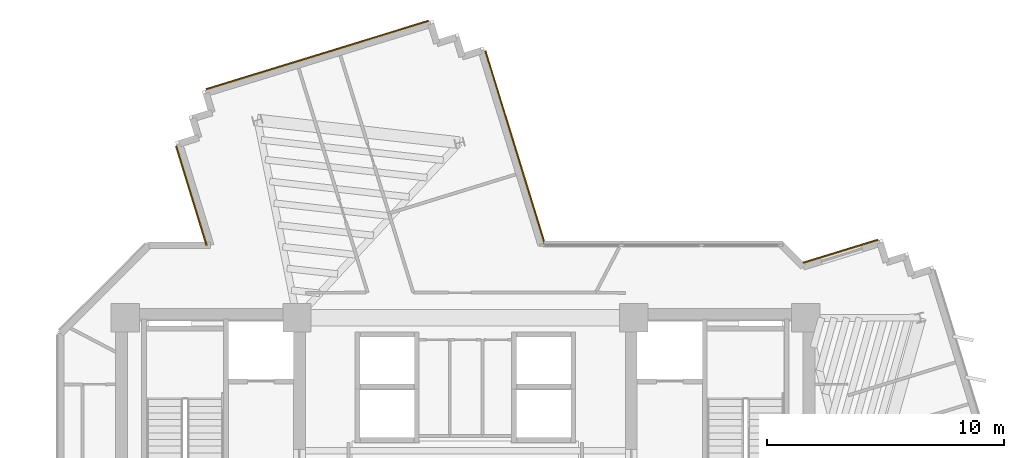
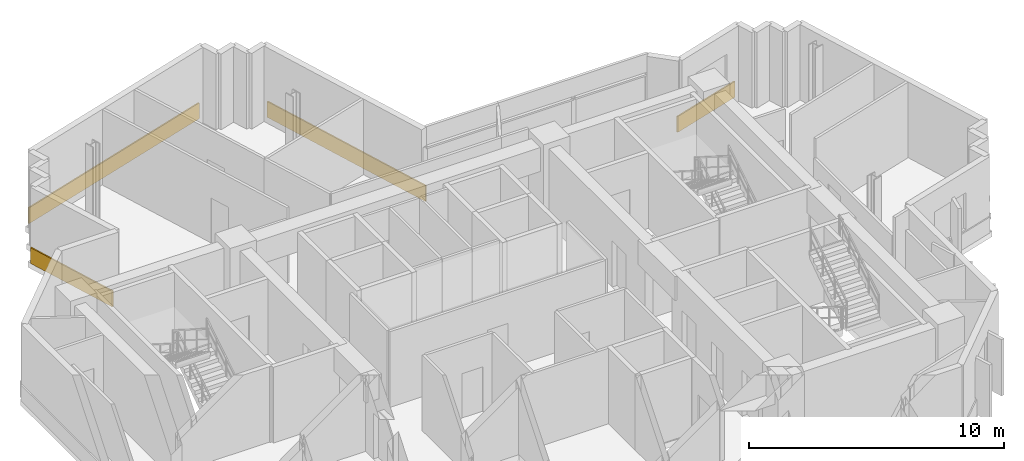
# One storey, part 13 of 13: 4 coverings.
"""IFC4 building model written with IfcOpenShell, lengths in metres."""

import ifcopenshell
import ifcopenshell.guid

model = None  # the IFC model being written
_history = None  # IfcOwnerHistory: only IFC2X3 demands one
_inside = {}  # id of a spatial element -> (the spatial element, [elements in it])
_under = {}  # id of a project, library or spatial element -> (it, [spatial elements below it])
_declared = {}  # id of a project -> (the project, [libraries it declares])
_typed = {}  # id of a type object -> (the type object, [elements of that type])
_made_of = {}  # id of a material, layer set ... -> (it, [elements and type objects made of it])


def new_model(schema):
    """Start an empty IFC model of exactly this schema.

    Asked for "IFC4X3", IfcOpenShell would pick the latest addendum, in which some entities
    have other attributes; the version numbers below select the first issue.
    IFC2X3 requires an IfcOwnerHistory on every rooted entity: one is made here for all.
    """
    global model, _history
    if schema == "IFC4X3":
        model = ifcopenshell.file(schema_version=(4, 3, 0, 0))
    else:
        model = ifcopenshell.file(schema=schema)
    _inside.clear()
    _under.clear()
    _declared.clear()
    _typed.clear()
    _made_of.clear()
    _history = None
    if model.schema == "IFC2X3":
        org = make("IfcOrganization", Name="unknown")
        user = make(
            "IfcPersonAndOrganization",
            ThePerson=make("IfcPerson", FamilyName="unknown"),
            TheOrganization=org,
        )
        app = make(
            "IfcApplication",
            ApplicationDeveloper=org,
            Version="unknown",
            ApplicationFullName="unknown",
            ApplicationIdentifier="unknown",
        )
        _history = make(
            "IfcOwnerHistory",
            OwningUser=user,
            OwningApplication=app,
            ChangeAction="ADDED",
            CreationDate=0,
        )
    return model


def make(cls, **values):
    """One entity of the class cls with the attributes given. An attribute that is None is left unset."""
    return model.create_entity(
        cls, **{name: value for name, value in values.items() if value is not None}
    )


def rooted(cls, **values):
    """An entity with a GlobalId (a new one), such as an element, a storey or a relation."""
    return make(cls, GlobalId=ifcopenshell.guid.new(), OwnerHistory=_history, **values)


def si_unit(unit_type, name, prefix=None):
    """IfcSIUnit, for example si_unit("LENGTHUNIT", "METRE", prefix="MILLI")."""
    return make("IfcSIUnit", UnitType=unit_type, Prefix=prefix, Name=name)


def assignment(units):
    """IfcUnitAssignment: the units of a project."""
    return None if units is None else make("IfcUnitAssignment", Units=units)


def point(xyz):
    """IfcCartesianPoint."""
    return None if xyz is None else make("IfcCartesianPoint", Coordinates=xyz)


def direction(xyz):
    """IfcDirection."""
    return None if xyz is None else make("IfcDirection", DirectionRatios=xyz)


def frame(location, z_axis=None, x_axis=None):
    """IfcAxis2Placement3D, a coordinate frame: its origin and axes. An axis left out is left unset."""
    return make(
        "IfcAxis2Placement3D",
        Location=point(location),
        Axis=direction(z_axis),
        RefDirection=direction(x_axis),
    )


def frame_2d(location, x_axis=None):
    """IfcAxis2Placement2D, a coordinate frame in the plane: its origin and x axis."""
    return make(
        "IfcAxis2Placement2D", Location=point(location), RefDirection=direction(x_axis)
    )


def origin():
    """The frame at (0, 0, 0) with its axes left unset."""
    return frame((0.0, 0.0, 0.0))


def origin_2d():
    """The frame at (0, 0) in the plane with its x axis left unset."""
    return frame_2d((0.0, 0.0))


def place(relative_to, where):
    """IfcLocalPlacement: puts the frame where relative to a parent placement (None: the world)."""
    return make(
        "IfcLocalPlacement", PlacementRelTo=relative_to, RelativePlacement=where
    )


def context(
    kind, dimensions, precision=None, world=None, true_north=None, identifier=None
):
    """IfcGeometricRepresentationContext, for example the 3D "Model" context."""
    return make(
        "IfcGeometricRepresentationContext",
        ContextIdentifier=identifier,
        ContextType=kind,
        CoordinateSpaceDimension=dimensions,
        Precision=precision,
        WorldCoordinateSystem=world,
        TrueNorth=true_north,
    )


def subcontext(parent, identifier, kind, view, scale=None):
    """IfcGeometricRepresentationSubContext, for example "Body" below "Model"."""
    return make(
        "IfcGeometricRepresentationSubContext",
        ContextIdentifier=identifier,
        ContextType=kind,
        ParentContext=parent,
        TargetScale=scale,
        TargetView=view,
    )


def project(units=None, contexts=None):
    """IfcProject with its units and contexts."""
    return rooted(
        "IfcProject",
        Name="project",
        RepresentationContexts=contexts,
        UnitsInContext=assignment(units),
    )


def spatial(cls, under=None, at=None, **own):
    """A site, building, storey or space (cls), placed at a placement, below another one or the project."""
    s = rooted(cls, ObjectPlacement=at, **own)
    if under is not None:
        _under.setdefault(under.id(), (under, []))[1].append(s)
    return s


def profile(cls, at=None, kind="AREA", **sizes):
    """A parametric profile (cls). Its sizes go by their IFC names, for example OverallWidth=200.0."""
    return make(cls, ProfileType=kind, Position=at, **sizes)


def rectangle(**sizes):
    """IfcRectangleProfileDef."""
    return profile("IfcRectangleProfileDef", **sizes)


def extrude(swept, where, along, depth):
    """IfcExtrudedAreaSolid: the profile swept, set in the frame where, extruded along a direction by depth."""
    return make(
        "IfcExtrudedAreaSolid",
        SweptArea=swept,
        Position=where,
        ExtrudedDirection=direction(along),
        Depth=depth,
    )


def shape(context_of_items, identifier, shape_type, items):
    """IfcShapeRepresentation: the items that make up one representation, for example the "Body"."""
    return make(
        "IfcShapeRepresentation",
        ContextOfItems=context_of_items,
        RepresentationIdentifier=identifier,
        RepresentationType=shape_type,
        Items=items,
    )


def source(mapping_origin, context_of_items, identifier, shape_type, items):
    """IfcRepresentationMap: a shape defined once, which mapped items show again and again."""
    return make(
        "IfcRepresentationMap",
        MappingOrigin=mapping_origin,
        MappedRepresentation=shape(context_of_items, identifier, shape_type, items),
    )


def transform(
    local_origin,
    x_axis=None,
    y_axis=None,
    z_axis=None,
    scale=None,
    scale2=None,
    scale3=None,
    uniform=True,
):
    """IfcCartesianTransformationOperator3D, or its non-uniform kind. x_axis, y_axis, z_axis: its Axis1, 2, 3."""
    if uniform:
        return make(
            "IfcCartesianTransformationOperator3D",
            Axis1=direction(x_axis),
            Axis2=direction(y_axis),
            LocalOrigin=point(local_origin),
            Scale=scale,
            Axis3=direction(z_axis),
        )
    return make(
        "IfcCartesianTransformationOperator3DnonUniform",
        Axis1=direction(x_axis),
        Axis2=direction(y_axis),
        LocalOrigin=point(local_origin),
        Scale=scale,
        Axis3=direction(z_axis),
        Scale2=scale2,
        Scale3=scale3,
    )


def mapped(mapping_source, mapping_target):
    """IfcMappedItem: shows the shape of a source again, moved by a transform."""
    return make(
        "IfcMappedItem", MappingSource=mapping_source, MappingTarget=mapping_target
    )


def material(Name=None, Category=None):
    """IfcMaterial."""
    return make("IfcMaterial", Name=Name, Category=Category)


def layer(
    of_material, thickness, ventilated=None, Name=None, Category=None, Priority=None
):
    """IfcMaterialLayer: one layer of a wall or slab, of a material (None: an air gap)."""
    return make(
        "IfcMaterialLayer",
        Material=of_material,
        LayerThickness=thickness,
        IsVentilated=ventilated,
        Name=Name,
        Category=Category,
        Priority=Priority,
    )


def layer_set(layers, Name=None):
    """IfcMaterialLayerSet."""
    return make("IfcMaterialLayerSet", MaterialLayers=layers, LayerSetName=Name)


def made_of(thing, what):
    """Note that an element or type object is made of a material, layer set ...; save() writes the relation."""
    if what is not None:
        _made_of.setdefault(what.id(), (what, []))[1].append(thing)
    return thing


def type_object(cls, material=None, **own):
    """A type object (cls), such as IfcWallType, which elements share."""
    return made_of(rooted(cls, **own), material)


def element(
    cls,
    number,
    at=None,
    inside=None,
    cuts=None,
    type_object=None,
    material=None,
    context=None,
    identifier="Body",
    shape_type=None,
    held_by="IfcProductDefinitionShape",
    body=None,
    shapes=None,
    **own,
):
    """One element of the class cls, such as IfcWall. Its Tag is "e" and its number.

    at: its placement. inside: the storey or other place that contains it. cuts: it is an
    opening in that element (IfcRelVoidsElement). A single representation is given by context,
    identifier, shape_type and body (its items); several are given by shapes. held_by: the class
    of the entity that holds the representations. save() writes the other relations.
    """
    e = rooted(cls, Tag="e%d" % number, ObjectPlacement=at, **own)
    if body is not None:
        shapes = [shape(context, identifier, shape_type, body)]
    if shapes is not None:
        e.Representation = make(held_by, Representations=shapes)
    if inside is not None:
        _inside.setdefault(inside.id(), (inside, []))[1].append(e)
    if cuts is not None:
        rooted(
            "IfcRelVoidsElement", RelatingBuildingElement=cuts, RelatedOpeningElement=e
        )
    if type_object is not None:
        _typed.setdefault(type_object.id(), (type_object, []))[1].append(e)
    return made_of(e, material)


def aggregate(whole, parts):
    """IfcRelAggregates: a whole, such as a stair, and the parts it consists of."""
    return rooted("IfcRelAggregates", RelatingObject=whole, RelatedObjects=parts)


def save(model, path):
    """Write the relations noted so far, then the file.

    IfcRelAggregates (storeys below a building ...), IfcRelContainedInSpatialStructure (elements
    in a storey), IfcRelDefinesByType, IfcRelAssociatesMaterial and IfcRelDeclares: one each for
    every whole, place, type object, material and project.
    """
    for whole, parts in _under.values():
        aggregate(whole, parts)
    for where, things in _inside.values():
        rooted(
            "IfcRelContainedInSpatialStructure",
            RelatedElements=things,
            RelatingStructure=where,
        )
    for kind, things in _typed.values():
        rooted("IfcRelDefinesByType", RelatedObjects=things, RelatingType=kind)
    for what, things in _made_of.values():
        rooted("IfcRelAssociatesMaterial", RelatedObjects=things, RelatingMaterial=what)
    for by, libraries in _declared.values():
        rooted("IfcRelDeclares", RelatingContext=by, RelatedDefinitions=libraries)
    model.write(path)


model = new_model("IFC4")

# Units and contexts
model_context = context("Model", 3, precision=1e-05, world=origin(), true_north=direction((0.0, 1.0)))
body_context = subcontext(model_context, "Body", "Model", "MODEL_VIEW")
ifc_project = project(units=[si_unit("LENGTHUNIT", "METRE"), si_unit("AREAUNIT", "SQUARE_METRE"), si_unit("VOLUMEUNIT", "CUBIC_METRE"), si_unit("PLANEANGLEUNIT", "RADIAN"), si_unit("MASSUNIT", "GRAM", prefix="KILO")], contexts=[model_context])

# Site, building, storey
site_placement = place(None, origin())
site = spatial("IfcSite", under=ifc_project, at=site_placement, CompositionType="ELEMENT")
building_placement = place(site_placement, origin())
building = spatial("IfcBuilding", under=site, at=building_placement, Name="Zahravan Cultural Tower", CompositionType="ELEMENT")
storey_placement = place(building_placement, frame((0.0, 0.0, 217.5)))
storey = spatial("IfcBuildingStorey", under=building, at=storey_placement, Name="L51", CompositionType="ELEMENT", Elevation=217.5)

# Coverings
ifc_material = material(Name="Terracotta ceramic cladding", Category="masonry")
ifc_layer = layer(ifc_material, 0.06005859375)
ifc_layer_set = layer_set([ifc_layer], Name="Terracotta ceramic cladding")
covering_type = type_object("IfcCoveringType", Name="COV-CLAD-TC60", PredefinedType="CLADDING", material=ifc_layer_set)
shared_shape_1 = source(origin(), body_context, "Body", "SweptSolid", [
    extrude(rectangle(XDim=9.820068359375, YDim=0.06005859375, at=origin_2d()), origin(), (0.0, 0.0, 1.0), 0.760009765625),
])
covering_1_placement = place(storey_placement, frame((29.759033203125, 47.28662109375, 0.02001953125), z_axis=(0.0, 0.0, 1.0), x_axis=(0.955793014798, 0.294040325232, 0.0)))
element("IfcCovering", 1, at=covering_1_placement, inside=storey, type_object=covering_type, Name="L51 Terracotta Spandrel Cladding 46", PredefinedType="CLADDING", context=body_context, shape_type="MappedRepresentation", body=[
    mapped(shared_shape_1, transform((0.0, 0.0, 0.0), x_axis=(1.0, 0.0, 0.0), y_axis=(0.0, 1.0, 0.0), z_axis=(0.0, 0.0, 1.0), scale=1.0)),
])
shared_shape_2 = source(origin(), body_context, "Body", "SweptSolid", [
    extrude(rectangle(XDim=3.302001953125, YDim=0.06005859375, at=origin_2d()), origin(), (0.0, 0.0, 1.0), 0.760009765625),
])
covering_2_placement = place(storey_placement, frame((51.827392578125, 39.009765625, 0.02001953125), z_axis=(0.0, 0.0, 1.0), x_axis=(0.955793014798, 0.294040325232, 0.0)))
element("IfcCovering", 2, at=covering_2_placement, inside=storey, type_object=covering_type, Name="L51 Terracotta Spandrel Cladding 01", PredefinedType="CLADDING", context=body_context, shape_type="MappedRepresentation", body=[
    mapped(shared_shape_2, transform((0.0, 0.0, 0.0), x_axis=(1.0, 0.0, 0.0), y_axis=(0.0, 1.0, 0.0), z_axis=(0.0, 0.0, 1.0), scale=1.0)),
])
shared_shape_3 = source(origin(), body_context, "Body", "SweptSolid", [
    extrude(rectangle(XDim=4.384033203125, YDim=0.06005859375, at=origin_2d()), origin(), (0.0, 0.0, 1.0), 0.760009765625),
])
covering_3_placement = place(storey_placement, frame((24.443359375, 41.3544921875, 0.02001953125), z_axis=(0.0, 0.0, 1.0), x_axis=(-0.294023643452, 0.955798146625, 0.0)))
element("IfcCovering", 3, at=covering_3_placement, inside=storey, type_object=covering_type, Name="L51 Terracotta Spandrel Cladding 41", PredefinedType="CLADDING", context=body_context, shape_type="MappedRepresentation", body=[
    mapped(shared_shape_3, transform((0.0, 0.0, 0.0), x_axis=(1.0, 0.0, 0.0), y_axis=(0.0, 1.0, 0.0), z_axis=(0.0, 0.0, 1.0), scale=1.0)),
])
shared_shape_4 = source(origin(), body_context, "Body", "SweptSolid", [
    extrude(rectangle(XDim=8.481689453125, YDim=0.06005859375, at=origin_2d()), origin(), (0.0, 0.0, 1.0), 0.760009765625),
])
covering_4_placement = place(storey_placement, frame((38.09228515625, 43.40966796875, 0.02001953125), z_axis=(0.0, 0.0, 1.0), x_axis=(0.294040325232, -0.955793014798, 0.0)))
element("IfcCovering", 4, at=covering_4_placement, inside=storey, type_object=covering_type, Name="L51 Terracotta Spandrel Cladding 51", PredefinedType="CLADDING", context=body_context, shape_type="MappedRepresentation", body=[
    mapped(shared_shape_4, transform((0.0, 0.0, 0.0), x_axis=(1.0, 0.0, 0.0), y_axis=(0.0, 1.0, 0.0), z_axis=(0.0, 0.0, 1.0), scale=1.0)),
])

save(model, "model.ifc")
